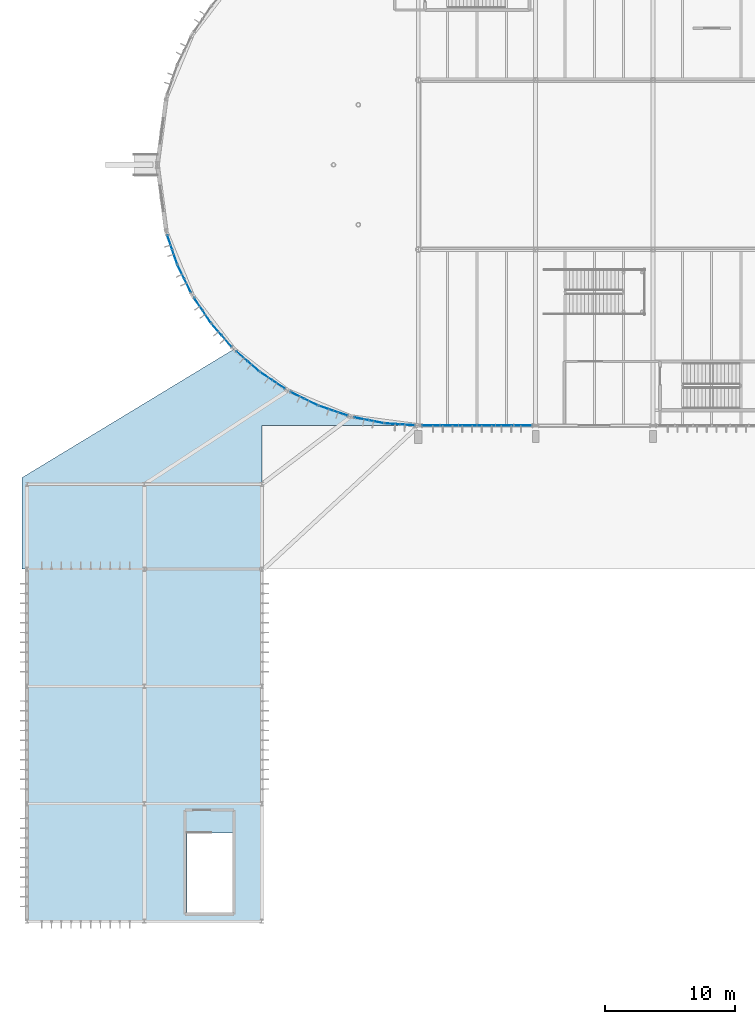
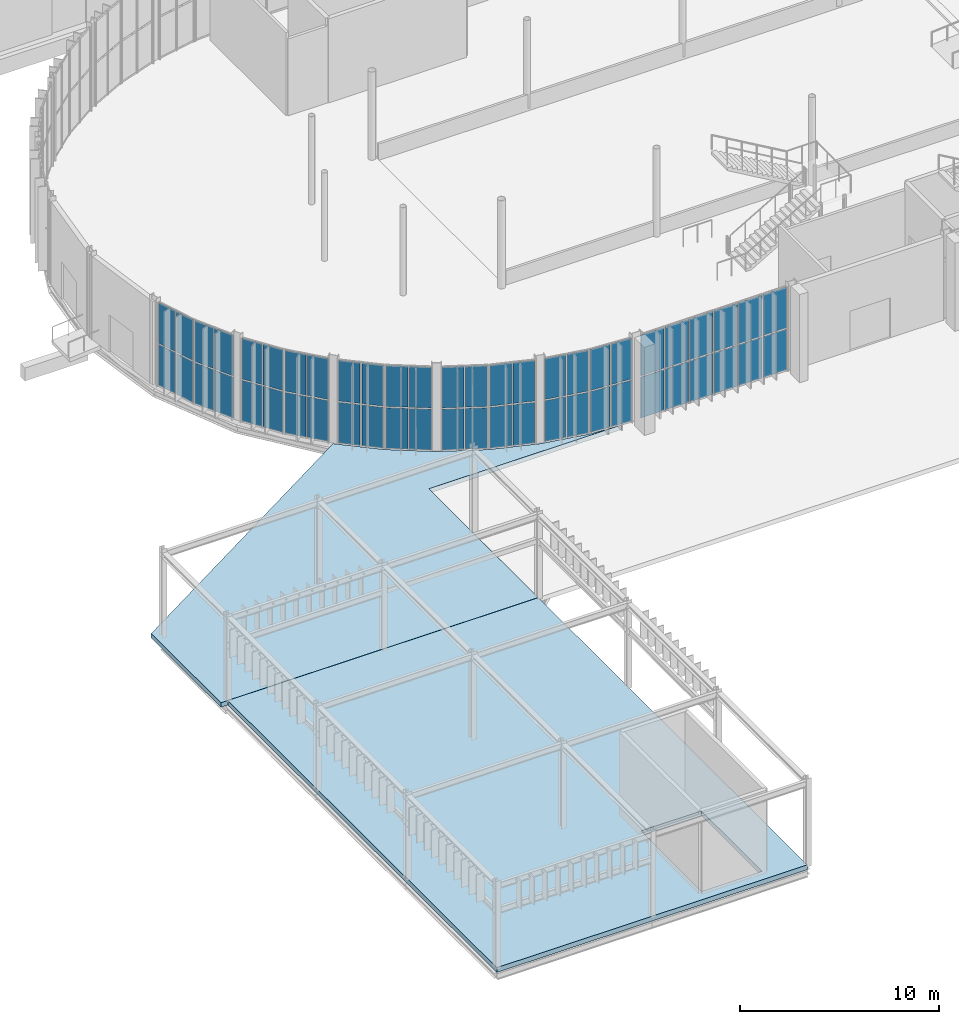
# One storey, part 105 of 158: 52 plates, 2 slabs, 11 elements without a shape of their own.
"""IFC4 building model written with IfcOpenShell, lengths in metres."""

from ifc_helpers import new_model, si_unit, derived_unit, direction, frame, origin, origin_2d, place, context, subcontext, project, spatial, polyline, rectangle, outline, extrude, material, layer, layer_set, type_object, element, aggregate, save


model = new_model("IFC4")

# Units and contexts
model_context = context("Model", 3, precision=1e-05, world=origin(), true_north=direction((0.0, 1.0)))
body_context = subcontext(model_context, "Body", "Model", "MODEL_VIEW")
ifc_project = project(units=[si_unit("LENGTHUNIT", "METRE"), si_unit("AREAUNIT", "SQUARE_METRE"), si_unit("VOLUMEUNIT", "CUBIC_METRE"), si_unit("PLANEANGLEUNIT", "RADIAN"), si_unit("MASSUNIT", "GRAM", prefix="KILO"), si_unit("THERMODYNAMICTEMPERATUREUNIT", "KELVIN"), si_unit("TIMEUNIT", "SECOND"), derived_unit("THERMALTRANSMITTANCEUNIT", [(si_unit("MASSUNIT", "GRAM", prefix="KILO"), 1), (si_unit("THERMODYNAMICTEMPERATUREUNIT", "KELVIN"), -1), (si_unit("TIMEUNIT", "SECOND"), -3)])], contexts=[model_context])

# Site, building, storey
site_placement = place(None, origin())
site = spatial("IfcSite", under=ifc_project, at=site_placement, CompositionType="ELEMENT")
building_placement = place(site_placement, origin())
building = spatial("IfcBuilding", under=site, at=building_placement, Name="Cambertide Market Hall", CompositionType="ELEMENT")
storey_placement = place(building_placement, origin())
storey = spatial("IfcBuildingStorey", under=building, at=storey_placement, Name="L01", CompositionType="ELEMENT", Elevation=0.0)

# Slabs
ifc_material_1 = material(Name="Concrete B35", Category="concrete")
ifc_layer_1 = layer(ifc_material_1, 0.280029296875, Name="Exterior Entry Apron & Colonnade Slab 280")
ifc_layer_set_1 = layer_set([ifc_layer_1], Name="Concrete B35")
slab_type_1 = type_object("IfcSlabType", Name="Exterior Entry Apron & Colonnade Slab 280", PredefinedType="FLOOR", material=ifc_layer_set_1)
slab_1_placement = place(storey_placement, frame((0.0, 0.0, -0.280029296875)))
element("IfcSlab", 1, at=slab_1_placement, inside=storey, type_object=slab_type_1, Name="Level 1 Slab SLB-L01-LNK-SW", PredefinedType="FLOOR", context=body_context, shape_type="SweptSolid", body=[
    extrude(outline(polyline([(11.60009765625, 41.0048828125), (11.989990234375, 41.0048828125), (11.989990234375, 41.010009765625), (30.0, 41.010009765625), (30.0, 52.0), (41.1591796875, 52.0), (39.38232421875, 52.116455078125), (36.809326171875, 52.628173828125), (34.3251953125, 53.471435546875), (31.972412109375, 54.6318359375), (29.791259765625, 56.089111328125), (27.81884765625, 57.81884765625), (27.81005859375, 57.828857421875), (11.60009765625, 48.0), (11.60009765625, 41.0048828125)])), origin(), (0.0, 0.0, 1.0), 0.280029296875),
])
ifc_material_2 = material(Name="Concrete B35", Category="concrete")
ifc_layer_2 = layer(ifc_material_2, 0.294921875, Name="Specialty Pavilion Plinth Slab 295")
ifc_layer_set_2 = layer_set([ifc_layer_2], Name="Concrete B35")
slab_type_2 = type_object("IfcSlabType", Name="Specialty Pavilion Plinth Slab 295", PredefinedType="FLOOR", material=ifc_layer_set_2)
slab_2_placement = place(storey_placement, frame((0.0, 0.0, -0.294921875)))
element("IfcSlab", 2, at=slab_2_placement, inside=storey, type_object=slab_type_2, Name="Level 1 Slab SLB-L01-V2SW", PredefinedType="FLOOR", context=body_context, shape_type="SweptSolid", body=[
    extrude(outline(polyline([(12.0, 14.0), (30.0, 14.0), (30.0, 41.0), (12.0, 41.0), (12.0, 14.0)]), holes=[polyline([(27.75, 20.74609375), (27.75, 14.64990234375), (24.25, 14.64990234375), (24.25, 20.74609375), (27.75, 20.74609375)])]), origin(), (0.0, 0.0, 1.0), 0.294921875),
])

# Curtain wall, plates
ifc_material_3 = material(Name="Marine Anodized Aluminium 6063-T6 AA25", Category="aluminium")
curtain_wall_type_1 = type_object("IfcCurtainWallType", Name="Lantern Straight Lower Curtain Wall", PredefinedType="USERDEFINED", material=ifc_material_3)
curtain_wall_1_placement = place(storey_placement, origin())
curtain_wall_1 = element("IfcCurtainWall", 3, at=curtain_wall_1_placement, inside=storey, type_object=curtain_wall_type_1, Name="Level 1 Curtain Wall CW-V1S-L01-1", ObjectType="UNITIZED CURTAIN WALL", PredefinedType="USERDEFINED")
ifc_material_4 = material(Name="Low-E Laminated Insulated Glass", Category="glass")
ifc_layer_3 = layer(ifc_material_4, 0.028076171875, Name="Vision Insulated Glazing Panel 28")
ifc_layer_set_3 = layer_set([ifc_layer_3], Name="Low-E Laminated Insulated Glass")
plate_type = type_object("IfcPlateType", Name="Vision Insulated Glazing Panel 28", PredefinedType="CURTAIN_PANEL", material=ifc_layer_set_3)
plate_1_placement = place(storey_placement, frame((50.041748046875, 52.0, 0.0400390625), z_axis=(0.0, 0.0, 1.0), x_axis=(-1.0, 0.0, 0.0)))
plate_1 = element("IfcPlate", 4, at=plate_1_placement, type_object=plate_type, Name="CW-V1S-L01-1 Glazing Panel 1-1", PredefinedType="CURTAIN_PANEL", context=body_context, shape_type="SweptSolid", body=[
    extrude(rectangle(XDim=1.336669921875, YDim=0.028076171875, at=origin_2d()), origin(), (0.0, 0.0, 1.0), 2.5),
])
plate_2_placement = place(storey_placement, frame((48.625, 52.0, 0.0400390625), z_axis=(0.0, 0.0, 1.0), x_axis=(-1.0, 0.0, 0.0)))
plate_2 = element("IfcPlate", 5, at=plate_2_placement, type_object=plate_type, Name="CW-V1S-L01-1 Glazing Panel 1-2", PredefinedType="CURTAIN_PANEL", context=body_context, shape_type="SweptSolid", body=[
    extrude(rectangle(XDim=1.336669921875, YDim=0.028076171875, at=origin_2d()), origin(), (0.0, 0.0, 1.0), 2.5),
])
plate_3_placement = place(storey_placement, frame((47.208251953125, 52.0, 0.0400390625), z_axis=(0.0, 0.0, 1.0), x_axis=(-1.0, 0.0, 0.0)))
plate_3 = element("IfcPlate", 6, at=plate_3_placement, type_object=plate_type, Name="CW-V1S-L01-1 Glazing Panel 1-3", PredefinedType="CURTAIN_PANEL", context=body_context, shape_type="SweptSolid", body=[
    extrude(rectangle(XDim=1.336669921875, YDim=0.028076171875, at=origin_2d()), origin(), (0.0, 0.0, 1.0), 2.5),
])
plate_4_placement = place(storey_placement, frame((45.791748046875, 52.0, 0.0400390625), z_axis=(0.0, 0.0, 1.0), x_axis=(-1.0, 0.0, 0.0)))
plate_4 = element("IfcPlate", 7, at=plate_4_placement, type_object=plate_type, Name="CW-V1S-L01-1 Glazing Panel 1-4", PredefinedType="CURTAIN_PANEL", context=body_context, shape_type="SweptSolid", body=[
    extrude(rectangle(XDim=1.336669921875, YDim=0.028076171875, at=origin_2d()), origin(), (0.0, 0.0, 1.0), 2.5),
])
plate_5_placement = place(storey_placement, frame((44.375, 52.0, 0.0400390625), z_axis=(0.0, 0.0, 1.0), x_axis=(-1.0, 0.0, 0.0)))
plate_5 = element("IfcPlate", 8, at=plate_5_placement, type_object=plate_type, Name="CW-V1S-L01-1 Glazing Panel 1-5", PredefinedType="CURTAIN_PANEL", context=body_context, shape_type="SweptSolid", body=[
    extrude(rectangle(XDim=1.336669921875, YDim=0.028076171875, at=origin_2d()), origin(), (0.0, 0.0, 1.0), 2.5),
])
plate_6_placement = place(storey_placement, frame((42.958251953125, 52.0, 0.0400390625), z_axis=(0.0, 0.0, 1.0), x_axis=(-1.0, 0.0, 0.0)))
plate_6 = element("IfcPlate", 9, at=plate_6_placement, type_object=plate_type, Name="CW-V1S-L01-1 Glazing Panel 1-6", PredefinedType="CURTAIN_PANEL", context=body_context, shape_type="SweptSolid", body=[
    extrude(rectangle(XDim=1.336669921875, YDim=0.028076171875, at=origin_2d()), origin(), (0.0, 0.0, 1.0), 2.5),
])
plate_7_placement = place(storey_placement, frame((50.041748046875, 52.0, 2.6201171875), z_axis=(0.0, 0.0, 1.0), x_axis=(-1.0, 0.0, 0.0)))
plate_7 = element("IfcPlate", 10, at=plate_7_placement, type_object=plate_type, Name="CW-V1S-L01-1 Glazing Panel 2-1", PredefinedType="CURTAIN_PANEL", context=body_context, shape_type="SweptSolid", body=[
    extrude(rectangle(XDim=1.336669921875, YDim=0.028076171875, at=origin_2d()), origin(), (0.0, 0.0, 1.0), 2.5),
])
plate_8_placement = place(storey_placement, frame((48.625, 52.0, 2.6201171875), z_axis=(0.0, 0.0, 1.0), x_axis=(-1.0, 0.0, 0.0)))
plate_8 = element("IfcPlate", 11, at=plate_8_placement, type_object=plate_type, Name="CW-V1S-L01-1 Glazing Panel 2-2", PredefinedType="CURTAIN_PANEL", context=body_context, shape_type="SweptSolid", body=[
    extrude(rectangle(XDim=1.336669921875, YDim=0.028076171875, at=origin_2d()), origin(), (0.0, 0.0, 1.0), 2.5),
])
plate_9_placement = place(storey_placement, frame((47.208251953125, 52.0, 2.6201171875), z_axis=(0.0, 0.0, 1.0), x_axis=(-1.0, 0.0, 0.0)))
plate_9 = element("IfcPlate", 12, at=plate_9_placement, type_object=plate_type, Name="CW-V1S-L01-1 Glazing Panel 2-3", PredefinedType="CURTAIN_PANEL", context=body_context, shape_type="SweptSolid", body=[
    extrude(rectangle(XDim=1.336669921875, YDim=0.028076171875, at=origin_2d()), origin(), (0.0, 0.0, 1.0), 2.5),
])
plate_10_placement = place(storey_placement, frame((45.791748046875, 52.0, 2.6201171875), z_axis=(0.0, 0.0, 1.0), x_axis=(-1.0, 0.0, 0.0)))
plate_10 = element("IfcPlate", 13, at=plate_10_placement, type_object=plate_type, Name="CW-V1S-L01-1 Glazing Panel 2-4", PredefinedType="CURTAIN_PANEL", context=body_context, shape_type="SweptSolid", body=[
    extrude(rectangle(XDim=1.336669921875, YDim=0.028076171875, at=origin_2d()), origin(), (0.0, 0.0, 1.0), 2.5),
])
plate_11_placement = place(storey_placement, frame((44.375, 52.0, 2.6201171875), z_axis=(0.0, 0.0, 1.0), x_axis=(-1.0, 0.0, 0.0)))
plate_11 = element("IfcPlate", 14, at=plate_11_placement, type_object=plate_type, Name="CW-V1S-L01-1 Glazing Panel 2-5", PredefinedType="CURTAIN_PANEL", context=body_context, shape_type="SweptSolid", body=[
    extrude(rectangle(XDim=1.336669921875, YDim=0.028076171875, at=origin_2d()), origin(), (0.0, 0.0, 1.0), 2.5),
])
plate_12_placement = place(storey_placement, frame((42.958251953125, 52.0, 2.6201171875), z_axis=(0.0, 0.0, 1.0), x_axis=(-1.0, 0.0, 0.0)))
plate_12 = element("IfcPlate", 15, at=plate_12_placement, type_object=plate_type, Name="CW-V1S-L01-1 Glazing Panel 2-6", PredefinedType="CURTAIN_PANEL", context=body_context, shape_type="SweptSolid", body=[
    extrude(rectangle(XDim=1.336669921875, YDim=0.028076171875, at=origin_2d()), origin(), (0.0, 0.0, 1.0), 2.5),
])
aggregate(curtain_wall_1, [plate_1, plate_2, plate_3, plate_4, plate_5, plate_6, plate_7, plate_8, plate_9, plate_10, plate_11, plate_12])

ifc_material_5 = material(Name="Marine Anodized Aluminium 6063-T6 AA25", Category="aluminium")
curtain_wall_type_2 = type_object("IfcCurtainWallType", Name="Lantern Apse Chord Lower Curtain Wall", PredefinedType="USERDEFINED", material=ifc_material_5)
curtain_wall_2_placement = place(storey_placement, origin())
curtain_wall_2 = element("IfcCurtainWall", 16, at=curtain_wall_2_placement, inside=storey, type_object=curtain_wall_type_2, Name="Level 1 Curtain Wall CW-V1AW-L01-15", ObjectType="UNITIZED CURTAIN WALL", PredefinedType="USERDEFINED")
plate_13_placement = place(storey_placement, frame((23.324951171875, 64.927734375, 0.0400390625), z_axis=(0.0, 0.0, 1.0), x_axis=(-0.32143947831, 0.94693012508, 0.0)))
plate_13 = element("IfcPlate", 17, at=plate_13_placement, type_object=plate_type, Name="CW-V1AW-L01-15 Glazing Panel 1-1", PredefinedType="CURTAIN_PANEL", context=body_context, shape_type="SweptSolid", body=[
    extrude(rectangle(XDim=1.108154296875, YDim=0.028076171875, at=origin_2d()), origin(), (0.0, 0.0, 1.0), 2.5),
])
plate_14_placement = place(storey_placement, frame((22.943115234375, 66.052734375, 0.0400390625), z_axis=(0.0, 0.0, 1.0), x_axis=(-0.32143947831, 0.94693012508, 0.0)))
plate_14 = element("IfcPlate", 18, at=plate_14_placement, type_object=plate_type, Name="CW-V1AW-L01-15 Glazing Panel 1-2", PredefinedType="CURTAIN_PANEL", context=body_context, shape_type="SweptSolid", body=[
    extrude(rectangle(XDim=1.108154296875, YDim=0.028076171875, at=origin_2d()), origin(), (0.0, 0.0, 1.0), 2.5),
])
plate_15_placement = place(storey_placement, frame((23.324951171875, 64.927734375, 2.6201171875), z_axis=(0.0, 0.0, 1.0), x_axis=(-0.32143947831, 0.94693012508, 0.0)))
plate_15 = element("IfcPlate", 19, at=plate_15_placement, type_object=plate_type, Name="CW-V1AW-L01-15 Glazing Panel 2-1", PredefinedType="CURTAIN_PANEL", context=body_context, shape_type="SweptSolid", body=[
    extrude(rectangle(XDim=1.108154296875, YDim=0.028076171875, at=origin_2d()), origin(), (0.0, 0.0, 1.0), 2.5),
])
plate_16_placement = place(storey_placement, frame((22.943115234375, 66.052734375, 2.6201171875), z_axis=(0.0, 0.0, 1.0), x_axis=(-0.32143947831, 0.94693012508, 0.0)))
plate_16 = element("IfcPlate", 20, at=plate_16_placement, type_object=plate_type, Name="CW-V1AW-L01-15 Glazing Panel 2-2", PredefinedType="CURTAIN_PANEL", context=body_context, shape_type="SweptSolid", body=[
    extrude(rectangle(XDim=1.108154296875, YDim=0.028076171875, at=origin_2d()), origin(), (0.0, 0.0, 1.0), 2.5),
])
aggregate(curtain_wall_2, [plate_13, plate_14, plate_15, plate_16])

curtain_wall_3_placement = place(storey_placement, origin())
curtain_wall_3 = element("IfcCurtainWall", 21, at=curtain_wall_3_placement, inside=storey, type_object=curtain_wall_type_2, Name="Level 1 Curtain Wall CW-V1AW-L01-16", ObjectType="UNITIZED CURTAIN WALL", PredefinedType="USERDEFINED")
plate_17_placement = place(storey_placement, frame((24.3193359375, 62.72998046875, 0.0400390625), z_axis=(0.0, 0.0, 1.0), x_axis=(-0.442288874522, 0.896872650645, 0.0)))
plate_17 = element("IfcPlate", 22, at=plate_17_placement, type_object=plate_type, Name="CW-V1AW-L01-16 Glazing Panel 1-1", PredefinedType="CURTAIN_PANEL", context=body_context, shape_type="SweptSolid", body=[
    extrude(rectangle(XDim=1.108154296875, YDim=0.028076171875, at=origin_2d()), origin(), (0.0, 0.0, 1.0), 2.5),
])
plate_18_placement = place(storey_placement, frame((23.7939453125, 63.795654296875, 0.0400390625), z_axis=(0.0, 0.0, 1.0), x_axis=(-0.442288874522, 0.896872650645, 0.0)))
plate_18 = element("IfcPlate", 23, at=plate_18_placement, type_object=plate_type, Name="CW-V1AW-L01-16 Glazing Panel 1-2", PredefinedType="CURTAIN_PANEL", context=body_context, shape_type="SweptSolid", body=[
    extrude(rectangle(XDim=1.108154296875, YDim=0.028076171875, at=origin_2d()), origin(), (0.0, 0.0, 1.0), 2.5),
])
plate_19_placement = place(storey_placement, frame((24.3193359375, 62.72998046875, 2.6201171875), z_axis=(0.0, 0.0, 1.0), x_axis=(-0.442288874522, 0.896872650645, 0.0)))
plate_19 = element("IfcPlate", 24, at=plate_19_placement, type_object=plate_type, Name="CW-V1AW-L01-16 Glazing Panel 2-1", PredefinedType="CURTAIN_PANEL", context=body_context, shape_type="SweptSolid", body=[
    extrude(rectangle(XDim=1.108154296875, YDim=0.028076171875, at=origin_2d()), origin(), (0.0, 0.0, 1.0), 2.5),
])
plate_20_placement = place(storey_placement, frame((23.7939453125, 63.795654296875, 2.6201171875), z_axis=(0.0, 0.0, 1.0), x_axis=(-0.442288874522, 0.896872650645, 0.0)))
plate_20 = element("IfcPlate", 25, at=plate_20_placement, type_object=plate_type, Name="CW-V1AW-L01-16 Glazing Panel 2-2", PredefinedType="CURTAIN_PANEL", context=body_context, shape_type="SweptSolid", body=[
    extrude(rectangle(XDim=1.108154296875, YDim=0.028076171875, at=origin_2d()), origin(), (0.0, 0.0, 1.0), 2.5),
])
aggregate(curtain_wall_3, [plate_17, plate_18, plate_19, plate_20])

curtain_wall_4_placement = place(storey_placement, origin())
curtain_wall_4 = element("IfcCurtainWall", 26, at=curtain_wall_4_placement, inside=storey, type_object=curtain_wall_type_2, Name="Level 1 Curtain Wall CW-V1AW-L01-17", ObjectType="UNITIZED CURTAIN WALL", PredefinedType="USERDEFINED")
plate_21_placement = place(storey_placement, frame((25.791748046875, 60.335205078125, 0.0400390625), z_axis=(0.0, 0.0, 1.0), x_axis=(-0.555570087582, 0.831469709481, 0.0)))
plate_21 = element("IfcPlate", 27, at=plate_21_placement, type_object=plate_type, Name="CW-V1AW-L01-17 Glazing Panel 1-1", PredefinedType="CURTAIN_PANEL", context=body_context, shape_type="SweptSolid", body=[
    extrude(rectangle(XDim=1.108154296875, YDim=0.028076171875, at=origin_2d()), origin(), (0.0, 0.0, 1.0), 2.5),
])
plate_22_placement = place(storey_placement, frame((25.1318359375, 61.3232421875, 0.0400390625), z_axis=(0.0, 0.0, 1.0), x_axis=(-0.555570087582, 0.831469709481, 0.0)))
plate_22 = element("IfcPlate", 28, at=plate_22_placement, type_object=plate_type, Name="CW-V1AW-L01-17 Glazing Panel 1-2", PredefinedType="CURTAIN_PANEL", context=body_context, shape_type="SweptSolid", body=[
    extrude(rectangle(XDim=1.108154296875, YDim=0.028076171875, at=origin_2d()), origin(), (0.0, 0.0, 1.0), 2.5),
])
plate_23_placement = place(storey_placement, frame((25.791748046875, 60.335205078125, 2.6201171875), z_axis=(0.0, 0.0, 1.0), x_axis=(-0.555570087582, 0.831469709481, 0.0)))
plate_23 = element("IfcPlate", 29, at=plate_23_placement, type_object=plate_type, Name="CW-V1AW-L01-17 Glazing Panel 2-1", PredefinedType="CURTAIN_PANEL", context=body_context, shape_type="SweptSolid", body=[
    extrude(rectangle(XDim=1.108154296875, YDim=0.028076171875, at=origin_2d()), origin(), (0.0, 0.0, 1.0), 2.5),
])
plate_24_placement = place(storey_placement, frame((25.1318359375, 61.3232421875, 2.6201171875), z_axis=(0.0, 0.0, 1.0), x_axis=(-0.555570087582, 0.831469709481, 0.0)))
plate_24 = element("IfcPlate", 30, at=plate_24_placement, type_object=plate_type, Name="CW-V1AW-L01-17 Glazing Panel 2-2", PredefinedType="CURTAIN_PANEL", context=body_context, shape_type="SweptSolid", body=[
    extrude(rectangle(XDim=1.108154296875, YDim=0.028076171875, at=origin_2d()), origin(), (0.0, 0.0, 1.0), 2.5),
])
aggregate(curtain_wall_4, [plate_21, plate_22, plate_23, plate_24])

curtain_wall_5_placement = place(storey_placement, origin())
curtain_wall_5 = element("IfcCurtainWall", 31, at=curtain_wall_5_placement, inside=storey, type_object=curtain_wall_type_2, Name="Level 1 Curtain Wall CW-V1AW-L01-18", ObjectType="UNITIZED CURTAIN WALL", PredefinedType="USERDEFINED")
plate_25_placement = place(storey_placement, frame((27.321044921875, 58.469970703125, 0.0400390625), z_axis=(0.0, 0.0, 1.0), x_axis=(-0.659345784014, 0.751839834741, 0.0)))
plate_25 = element("IfcPlate", 32, at=plate_25_placement, type_object=plate_type, Name="CW-V1AW-L01-18 Glazing Panel 1-1", PredefinedType="CURTAIN_PANEL", context=body_context, shape_type="SweptSolid", body=[
    extrude(rectangle(XDim=1.108154296875, YDim=0.028076171875, at=origin_2d()), origin(), (0.0, 0.0, 1.0), 2.5),
])
plate_26_placement = place(storey_placement, frame((26.537841796875, 59.363037109375, 0.0400390625), z_axis=(0.0, 0.0, 1.0), x_axis=(-0.659345784014, 0.751839834741, 0.0)))
plate_26 = element("IfcPlate", 33, at=plate_26_placement, type_object=plate_type, Name="CW-V1AW-L01-18 Glazing Panel 1-2", PredefinedType="CURTAIN_PANEL", context=body_context, shape_type="SweptSolid", body=[
    extrude(rectangle(XDim=1.108154296875, YDim=0.028076171875, at=origin_2d()), origin(), (0.0, 0.0, 1.0), 2.5),
])
plate_27_placement = place(storey_placement, frame((27.321044921875, 58.469970703125, 2.6201171875), z_axis=(0.0, 0.0, 1.0), x_axis=(-0.659345784014, 0.751839834741, 0.0)))
plate_27 = element("IfcPlate", 34, at=plate_27_placement, type_object=plate_type, Name="CW-V1AW-L01-18 Glazing Panel 2-1", PredefinedType="CURTAIN_PANEL", context=body_context, shape_type="SweptSolid", body=[
    extrude(rectangle(XDim=1.108154296875, YDim=0.028076171875, at=origin_2d()), origin(), (0.0, 0.0, 1.0), 2.5),
])
plate_28_placement = place(storey_placement, frame((26.537841796875, 59.363037109375, 2.6201171875), z_axis=(0.0, 0.0, 1.0), x_axis=(-0.659345784014, 0.751839834741, 0.0)))
plate_28 = element("IfcPlate", 35, at=plate_28_placement, type_object=plate_type, Name="CW-V1AW-L01-18 Glazing Panel 2-2", PredefinedType="CURTAIN_PANEL", context=body_context, shape_type="SweptSolid", body=[
    extrude(rectangle(XDim=1.108154296875, YDim=0.028076171875, at=origin_2d()), origin(), (0.0, 0.0, 1.0), 2.5),
])
aggregate(curtain_wall_5, [plate_25, plate_26, plate_27, plate_28])

curtain_wall_6_placement = place(storey_placement, origin())
curtain_wall_6 = element("IfcCurtainWall", 36, at=curtain_wall_6_placement, inside=storey, type_object=curtain_wall_type_2, Name="Level 1 Curtain Wall CW-V1AW-L01-19", ObjectType="UNITIZED CURTAIN WALL", PredefinedType="USERDEFINED")
plate_29_placement = place(storey_placement, frame((29.363037109375, 56.537841796875, 0.0400390625), z_axis=(0.0, 0.0, 1.0), x_axis=(-0.751839834741, 0.659345784014, 0.0)))
plate_29 = element("IfcPlate", 37, at=plate_29_placement, type_object=plate_type, Name="CW-V1AW-L01-19 Glazing Panel 1-1", PredefinedType="CURTAIN_PANEL", context=body_context, shape_type="SweptSolid", body=[
    extrude(rectangle(XDim=1.108154296875, YDim=0.028076171875, at=origin_2d()), origin(), (0.0, 0.0, 1.0), 2.5),
])
plate_30_placement = place(storey_placement, frame((28.469970703125, 57.321044921875, 0.0400390625), z_axis=(0.0, 0.0, 1.0), x_axis=(-0.751839834741, 0.659345784014, 0.0)))
plate_30 = element("IfcPlate", 38, at=plate_30_placement, type_object=plate_type, Name="CW-V1AW-L01-19 Glazing Panel 1-2", PredefinedType="CURTAIN_PANEL", context=body_context, shape_type="SweptSolid", body=[
    extrude(rectangle(XDim=1.108154296875, YDim=0.028076171875, at=origin_2d()), origin(), (0.0, 0.0, 1.0), 2.5),
])
plate_31_placement = place(storey_placement, frame((29.363037109375, 56.537841796875, 2.6201171875), z_axis=(0.0, 0.0, 1.0), x_axis=(-0.751839834741, 0.659345784014, 0.0)))
plate_31 = element("IfcPlate", 39, at=plate_31_placement, type_object=plate_type, Name="CW-V1AW-L01-19 Glazing Panel 2-1", PredefinedType="CURTAIN_PANEL", context=body_context, shape_type="SweptSolid", body=[
    extrude(rectangle(XDim=1.108154296875, YDim=0.028076171875, at=origin_2d()), origin(), (0.0, 0.0, 1.0), 2.5),
])
plate_32_placement = place(storey_placement, frame((28.469970703125, 57.321044921875, 2.6201171875), z_axis=(0.0, 0.0, 1.0), x_axis=(-0.751839834741, 0.659345784014, 0.0)))
plate_32 = element("IfcPlate", 40, at=plate_32_placement, type_object=plate_type, Name="CW-V1AW-L01-19 Glazing Panel 2-2", PredefinedType="CURTAIN_PANEL", context=body_context, shape_type="SweptSolid", body=[
    extrude(rectangle(XDim=1.108154296875, YDim=0.028076171875, at=origin_2d()), origin(), (0.0, 0.0, 1.0), 2.5),
])
aggregate(curtain_wall_6, [plate_29, plate_30, plate_31, plate_32])

curtain_wall_7_placement = place(storey_placement, origin())
curtain_wall_7 = element("IfcCurtainWall", 41, at=curtain_wall_7_placement, inside=storey, type_object=curtain_wall_type_2, Name="Level 1 Curtain Wall CW-V1AW-L01-20", ObjectType="UNITIZED CURTAIN WALL", PredefinedType="USERDEFINED")
plate_33_placement = place(storey_placement, frame((31.3232421875, 55.1318359375, 0.0400390625), z_axis=(0.0, 0.0, 1.0), x_axis=(-0.831469709481, 0.555570087582, 0.0)))
plate_33 = element("IfcPlate", 42, at=plate_33_placement, type_object=plate_type, Name="CW-V1AW-L01-20 Glazing Panel 1-1", PredefinedType="CURTAIN_PANEL", context=body_context, shape_type="SweptSolid", body=[
    extrude(rectangle(XDim=1.108154296875, YDim=0.028076171875, at=origin_2d()), origin(), (0.0, 0.0, 1.0), 2.5),
])
plate_34_placement = place(storey_placement, frame((30.335205078125, 55.791748046875, 0.0400390625), z_axis=(0.0, 0.0, 1.0), x_axis=(-0.831469709481, 0.555570087582, 0.0)))
plate_34 = element("IfcPlate", 43, at=plate_34_placement, type_object=plate_type, Name="CW-V1AW-L01-20 Glazing Panel 1-2", PredefinedType="CURTAIN_PANEL", context=body_context, shape_type="SweptSolid", body=[
    extrude(rectangle(XDim=1.108154296875, YDim=0.028076171875, at=origin_2d()), origin(), (0.0, 0.0, 1.0), 2.5),
])
plate_35_placement = place(storey_placement, frame((31.3232421875, 55.1318359375, 2.6201171875), z_axis=(0.0, 0.0, 1.0), x_axis=(-0.831469709481, 0.555570087582, 0.0)))
plate_35 = element("IfcPlate", 44, at=plate_35_placement, type_object=plate_type, Name="CW-V1AW-L01-20 Glazing Panel 2-1", PredefinedType="CURTAIN_PANEL", context=body_context, shape_type="SweptSolid", body=[
    extrude(rectangle(XDim=1.108154296875, YDim=0.028076171875, at=origin_2d()), origin(), (0.0, 0.0, 1.0), 2.5),
])
plate_36_placement = place(storey_placement, frame((30.335205078125, 55.791748046875, 2.6201171875), z_axis=(0.0, 0.0, 1.0), x_axis=(-0.831469709481, 0.555570087582, 0.0)))
plate_36 = element("IfcPlate", 45, at=plate_36_placement, type_object=plate_type, Name="CW-V1AW-L01-20 Glazing Panel 2-2", PredefinedType="CURTAIN_PANEL", context=body_context, shape_type="SweptSolid", body=[
    extrude(rectangle(XDim=1.108154296875, YDim=0.028076171875, at=origin_2d()), origin(), (0.0, 0.0, 1.0), 2.5),
])
aggregate(curtain_wall_7, [plate_33, plate_34, plate_35, plate_36])

curtain_wall_8_placement = place(storey_placement, origin())
curtain_wall_8 = element("IfcCurtainWall", 46, at=curtain_wall_8_placement, inside=storey, type_object=curtain_wall_type_2, Name="Level 1 Curtain Wall CW-V1AW-L01-21", ObjectType="UNITIZED CURTAIN WALL", PredefinedType="USERDEFINED")
plate_37_placement = place(storey_placement, frame((33.795654296875, 53.7939453125, 0.0400390625), z_axis=(0.0, 0.0, 1.0), x_axis=(-0.896872650645, 0.442288874522, 0.0)))
plate_37 = element("IfcPlate", 47, at=plate_37_placement, type_object=plate_type, Name="CW-V1AW-L01-21 Glazing Panel 1-1", PredefinedType="CURTAIN_PANEL", context=body_context, shape_type="SweptSolid", body=[
    extrude(rectangle(XDim=1.108154296875, YDim=0.028076171875, at=origin_2d()), origin(), (0.0, 0.0, 1.0), 2.5),
])
plate_38_placement = place(storey_placement, frame((32.72998046875, 54.3193359375, 0.0400390625), z_axis=(0.0, 0.0, 1.0), x_axis=(-0.896872650645, 0.442288874522, 0.0)))
plate_38 = element("IfcPlate", 48, at=plate_38_placement, type_object=plate_type, Name="CW-V1AW-L01-21 Glazing Panel 1-2", PredefinedType="CURTAIN_PANEL", context=body_context, shape_type="SweptSolid", body=[
    extrude(rectangle(XDim=1.108154296875, YDim=0.028076171875, at=origin_2d()), origin(), (0.0, 0.0, 1.0), 2.5),
])
plate_39_placement = place(storey_placement, frame((33.795654296875, 53.7939453125, 2.6201171875), z_axis=(0.0, 0.0, 1.0), x_axis=(-0.896872650645, 0.442288874522, 0.0)))
plate_39 = element("IfcPlate", 49, at=plate_39_placement, type_object=plate_type, Name="CW-V1AW-L01-21 Glazing Panel 2-1", PredefinedType="CURTAIN_PANEL", context=body_context, shape_type="SweptSolid", body=[
    extrude(rectangle(XDim=1.108154296875, YDim=0.028076171875, at=origin_2d()), origin(), (0.0, 0.0, 1.0), 2.5),
])
plate_40_placement = place(storey_placement, frame((32.72998046875, 54.3193359375, 2.6201171875), z_axis=(0.0, 0.0, 1.0), x_axis=(-0.896872650645, 0.442288874522, 0.0)))
plate_40 = element("IfcPlate", 50, at=plate_40_placement, type_object=plate_type, Name="CW-V1AW-L01-21 Glazing Panel 2-2", PredefinedType="CURTAIN_PANEL", context=body_context, shape_type="SweptSolid", body=[
    extrude(rectangle(XDim=1.108154296875, YDim=0.028076171875, at=origin_2d()), origin(), (0.0, 0.0, 1.0), 2.5),
])
aggregate(curtain_wall_8, [plate_37, plate_38, plate_39, plate_40])

curtain_wall_9_placement = place(storey_placement, origin())
curtain_wall_9 = element("IfcCurtainWall", 51, at=curtain_wall_9_placement, inside=storey, type_object=curtain_wall_type_2, Name="Level 1 Curtain Wall CW-V1AW-L01-22", ObjectType="UNITIZED CURTAIN WALL", PredefinedType="USERDEFINED")
plate_41_placement = place(storey_placement, frame((36.052734375, 52.943115234375, 0.0400390625), z_axis=(0.0, 0.0, 1.0), x_axis=(-0.94693012508, 0.32143947831, 0.0)))
plate_41 = element("IfcPlate", 52, at=plate_41_placement, type_object=plate_type, Name="CW-V1AW-L01-22 Glazing Panel 1-1", PredefinedType="CURTAIN_PANEL", context=body_context, shape_type="SweptSolid", body=[
    extrude(rectangle(XDim=1.108154296875, YDim=0.028076171875, at=origin_2d()), origin(), (0.0, 0.0, 1.0), 2.5),
])
plate_42_placement = place(storey_placement, frame((34.927734375, 53.324951171875, 0.0400390625), z_axis=(0.0, 0.0, 1.0), x_axis=(-0.94693012508, 0.32143947831, 0.0)))
plate_42 = element("IfcPlate", 53, at=plate_42_placement, type_object=plate_type, Name="CW-V1AW-L01-22 Glazing Panel 1-2", PredefinedType="CURTAIN_PANEL", context=body_context, shape_type="SweptSolid", body=[
    extrude(rectangle(XDim=1.108154296875, YDim=0.028076171875, at=origin_2d()), origin(), (0.0, 0.0, 1.0), 2.5),
])
plate_43_placement = place(storey_placement, frame((36.052734375, 52.943115234375, 2.6201171875), z_axis=(0.0, 0.0, 1.0), x_axis=(-0.94693012508, 0.32143947831, 0.0)))
plate_43 = element("IfcPlate", 54, at=plate_43_placement, type_object=plate_type, Name="CW-V1AW-L01-22 Glazing Panel 2-1", PredefinedType="CURTAIN_PANEL", context=body_context, shape_type="SweptSolid", body=[
    extrude(rectangle(XDim=1.108154296875, YDim=0.028076171875, at=origin_2d()), origin(), (0.0, 0.0, 1.0), 2.5),
])
plate_44_placement = place(storey_placement, frame((34.927734375, 53.324951171875, 2.6201171875), z_axis=(0.0, 0.0, 1.0), x_axis=(-0.94693012508, 0.32143947831, 0.0)))
plate_44 = element("IfcPlate", 55, at=plate_44_placement, type_object=plate_type, Name="CW-V1AW-L01-22 Glazing Panel 2-2", PredefinedType="CURTAIN_PANEL", context=body_context, shape_type="SweptSolid", body=[
    extrude(rectangle(XDim=1.108154296875, YDim=0.028076171875, at=origin_2d()), origin(), (0.0, 0.0, 1.0), 2.5),
])
aggregate(curtain_wall_9, [plate_41, plate_42, plate_43, plate_44])

curtain_wall_10_placement = place(storey_placement, origin())
curtain_wall_10 = element("IfcCurtainWall", 56, at=curtain_wall_10_placement, inside=storey, type_object=curtain_wall_type_2, Name="Level 1 Curtain Wall CW-V1AW-L01-23", ObjectType="UNITIZED CURTAIN WALL", PredefinedType="USERDEFINED")
plate_45_placement = place(storey_placement, frame((38.787353515625, 52.291015625, 0.0400390625), z_axis=(0.0, 0.0, 1.0), x_axis=(-0.980785330885, 0.195090068226, 0.0)))
plate_45 = element("IfcPlate", 57, at=plate_45_placement, type_object=plate_type, Name="CW-V1AW-L01-23 Glazing Panel 1-1", PredefinedType="CURTAIN_PANEL", context=body_context, shape_type="SweptSolid", body=[
    extrude(rectangle(XDim=1.108154296875, YDim=0.028076171875, at=origin_2d()), origin(), (0.0, 0.0, 1.0), 2.5),
])
plate_46_placement = place(storey_placement, frame((37.6220703125, 52.522705078125, 0.0400390625), z_axis=(0.0, 0.0, 1.0), x_axis=(-0.980785330885, 0.195090068226, 0.0)))
plate_46 = element("IfcPlate", 58, at=plate_46_placement, type_object=plate_type, Name="CW-V1AW-L01-23 Glazing Panel 1-2", PredefinedType="CURTAIN_PANEL", context=body_context, shape_type="SweptSolid", body=[
    extrude(rectangle(XDim=1.108154296875, YDim=0.028076171875, at=origin_2d()), origin(), (0.0, 0.0, 1.0), 2.5),
])
plate_47_placement = place(storey_placement, frame((38.787353515625, 52.291015625, 2.6201171875), z_axis=(0.0, 0.0, 1.0), x_axis=(-0.980785330885, 0.195090068226, 0.0)))
plate_47 = element("IfcPlate", 59, at=plate_47_placement, type_object=plate_type, Name="CW-V1AW-L01-23 Glazing Panel 2-1", PredefinedType="CURTAIN_PANEL", context=body_context, shape_type="SweptSolid", body=[
    extrude(rectangle(XDim=1.108154296875, YDim=0.028076171875, at=origin_2d()), origin(), (0.0, 0.0, 1.0), 2.5),
])
plate_48_placement = place(storey_placement, frame((37.6220703125, 52.522705078125, 2.6201171875), z_axis=(0.0, 0.0, 1.0), x_axis=(-0.980785330885, 0.195090068226, 0.0)))
plate_48 = element("IfcPlate", 60, at=plate_48_placement, type_object=plate_type, Name="CW-V1AW-L01-23 Glazing Panel 2-2", PredefinedType="CURTAIN_PANEL", context=body_context, shape_type="SweptSolid", body=[
    extrude(rectangle(XDim=1.108154296875, YDim=0.028076171875, at=origin_2d()), origin(), (0.0, 0.0, 1.0), 2.5),
])
aggregate(curtain_wall_10, [plate_45, plate_46, plate_47, plate_48])

curtain_wall_11_placement = place(storey_placement, origin())
curtain_wall_11 = element("IfcCurtainWall", 61, at=curtain_wall_11_placement, inside=storey, type_object=curtain_wall_type_2, Name="Level 1 Curtain Wall CW-V1AW-L01-24", ObjectType="UNITIZED CURTAIN WALL", PredefinedType="USERDEFINED")
plate_49_placement = place(storey_placement, frame((41.187744140625, 52.05322265625, 0.0400390625), z_axis=(0.0, 0.0, 1.0), x_axis=(-0.997858917819, 0.065403211921, 0.0)))
plate_49 = element("IfcPlate", 62, at=plate_49_placement, type_object=plate_type, Name="CW-V1AW-L01-24 Glazing Panel 1-1", PredefinedType="CURTAIN_PANEL", context=body_context, shape_type="SweptSolid", body=[
    extrude(rectangle(XDim=1.108154296875, YDim=0.028076171875, at=origin_2d()), origin(), (0.0, 0.0, 1.0), 2.5),
])
plate_50_placement = place(storey_placement, frame((40.002197265625, 52.130859375, 0.0400390625), z_axis=(0.0, 0.0, 1.0), x_axis=(-0.997858917819, 0.065403211921, 0.0)))
plate_50 = element("IfcPlate", 63, at=plate_50_placement, type_object=plate_type, Name="CW-V1AW-L01-24 Glazing Panel 1-2", PredefinedType="CURTAIN_PANEL", context=body_context, shape_type="SweptSolid", body=[
    extrude(rectangle(XDim=1.108154296875, YDim=0.028076171875, at=origin_2d()), origin(), (0.0, 0.0, 1.0), 2.5),
])
plate_51_placement = place(storey_placement, frame((41.187744140625, 52.05322265625, 2.6201171875), z_axis=(0.0, 0.0, 1.0), x_axis=(-0.997858917819, 0.065403211921, 0.0)))
plate_51 = element("IfcPlate", 64, at=plate_51_placement, type_object=plate_type, Name="CW-V1AW-L01-24 Glazing Panel 2-1", PredefinedType="CURTAIN_PANEL", context=body_context, shape_type="SweptSolid", body=[
    extrude(rectangle(XDim=1.108154296875, YDim=0.028076171875, at=origin_2d()), origin(), (0.0, 0.0, 1.0), 2.5),
])
plate_52_placement = place(storey_placement, frame((40.002197265625, 52.130859375, 2.6201171875), z_axis=(0.0, 0.0, 1.0), x_axis=(-0.997858917819, 0.065403211921, 0.0)))
plate_52 = element("IfcPlate", 65, at=plate_52_placement, type_object=plate_type, Name="CW-V1AW-L01-24 Glazing Panel 2-2", PredefinedType="CURTAIN_PANEL", context=body_context, shape_type="SweptSolid", body=[
    extrude(rectangle(XDim=1.108154296875, YDim=0.028076171875, at=origin_2d()), origin(), (0.0, 0.0, 1.0), 2.5),
])
aggregate(curtain_wall_11, [plate_49, plate_50, plate_51, plate_52])

save(model, "model.ifc")
